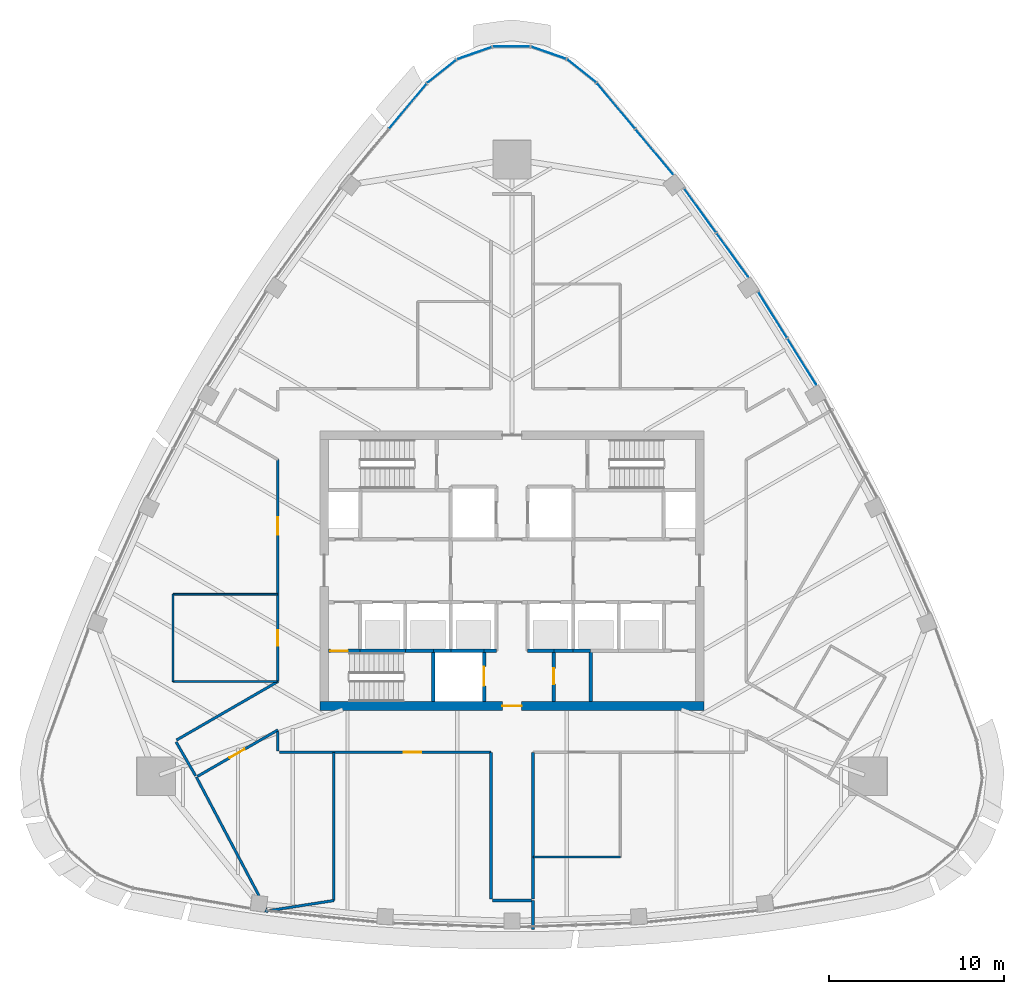
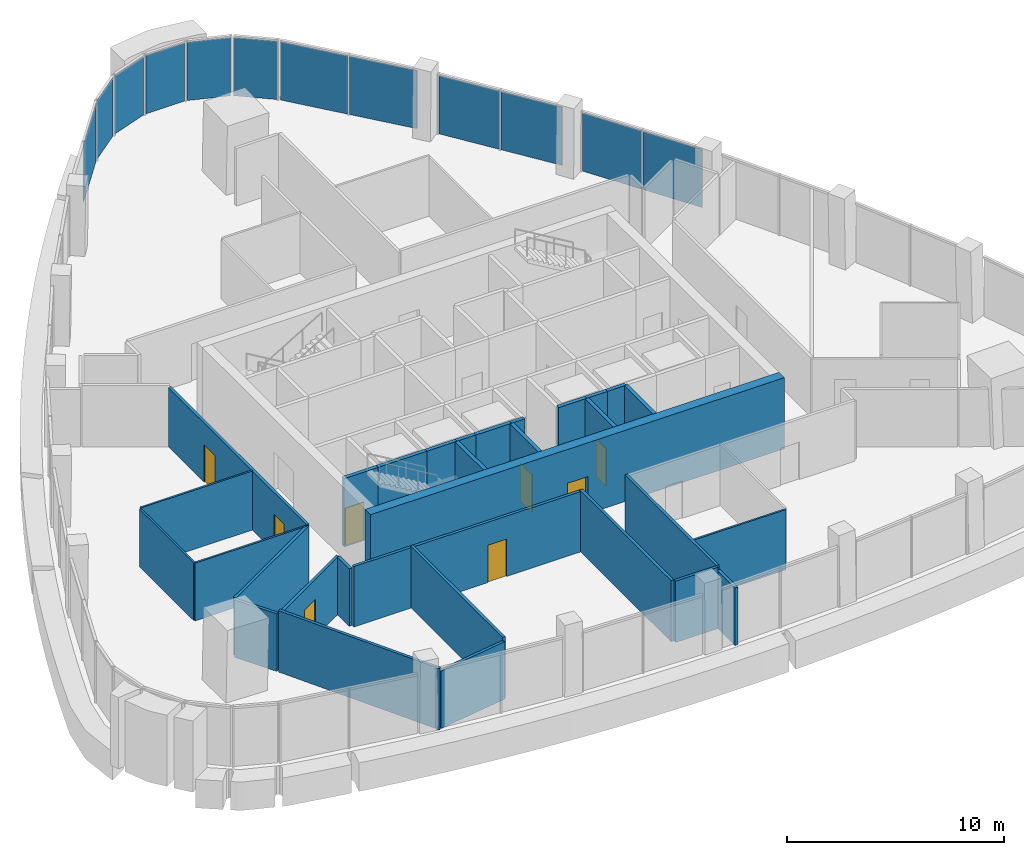
# One storey, part 8 of 15: 32 walls, 12 plates, 8 doors, 8 openings, 9 elements without a shape of their own.
"""IFC4 building model written with IfcOpenShell, lengths in metres."""

from ifc_helpers import new_model, si_unit, direction, frame, frame_2d, origin, origin_2d, place, context, subcontext, project, spatial, rectangle, extrude, material, layer, layer_set, type_object, element, fill, aggregate, save


model = new_model("IFC4")

# Units and contexts
model_context = context("Model", 3, precision=1e-05, world=origin(), true_north=direction((0.0, 1.0)))
body_context = subcontext(model_context, "Body", "Model", "MODEL_VIEW")
ifc_project = project(units=[si_unit("LENGTHUNIT", "METRE"), si_unit("AREAUNIT", "SQUARE_METRE"), si_unit("VOLUMEUNIT", "CUBIC_METRE"), si_unit("PLANEANGLEUNIT", "RADIAN"), si_unit("MASSUNIT", "GRAM", prefix="KILO")], contexts=[model_context])

# Site, building, storey
site_placement = place(None, origin())
site = spatial("IfcSite", under=ifc_project, at=site_placement, CompositionType="ELEMENT")
building_placement = place(site_placement, origin())
building = spatial("IfcBuilding", under=site, at=building_placement, Name="Sierra Prisma Convention Tower", CompositionType="ELEMENT")
storey_placement = place(building_placement, frame((0.0, 0.0, 299.0)))
storey = spatial("IfcBuildingStorey", under=building, at=storey_placement, Name="L68", CompositionType="ELEMENT", Elevation=299.0)

# Curtain wall, plates
ifc_material_1 = material(Name="Aluminium and glass curtain wall", Category="aluminium")
ifc_layer_1 = layer(ifc_material_1, 0.179931640625)
ifc_layer_set_1 = layer_set([ifc_layer_1], Name="CW-1 Plain shaft curtain wall")
curtain_wall_type = type_object("IfcCurtainWallType", Name="CW-1 Plain shaft curtain wall", PredefinedType="NOTDEFINED", material=ifc_layer_set_1)
curtain_wall_1_placement = place(storey_placement, origin())
curtain_wall_1 = element("IfcCurtainWall", 1, at=curtain_wall_1_placement, inside=storey, type_object=curtain_wall_type, Name="CW-1 NE4 L68", PredefinedType="NOTDEFINED")
ifc_material_2 = material(Name="Tinted glass bronze-grey IGU", Category="glass")
ifc_layer_2 = layer(ifc_material_2, 0.028076171875)
ifc_layer_set_2 = layer_set([ifc_layer_2], Name="CW-1 glass panel")
plate_type = type_object("IfcPlateType", Name="CW-1 glass panel", PredefinedType="CURTAIN_PANEL", material=ifc_layer_set_2)
plate_1_placement = place(storey_placement, frame((16.587646484375, 11.95849609375, 0.0), z_axis=(0.0, 0.0, 1.0), x_axis=(-0.529537172307, 0.848286734038, 0.0)))
plate_1 = element("IfcPlate", 2, at=plate_1_placement, type_object=plate_type, Name="CW-1 panel NE4.1", PredefinedType="CURTAIN_PANEL", context=body_context, shape_type="SweptSolid", body=[
    extrude(rectangle(XDim=3.08740234375, YDim=0.028076171875, at=origin_2d()), origin(), (0.0, 0.0, 1.0), 3.280029296875),
])
plate_2_placement = place(storey_placement, frame((14.915771484375, 14.636962890625, 0.0), z_axis=(0.0, 0.0, 1.0), x_axis=(-0.529537172307, 0.848286734038, 0.0)))
plate_2 = element("IfcPlate", 3, at=plate_2_placement, type_object=plate_type, Name="CW-1 panel NE4.2", PredefinedType="CURTAIN_PANEL", context=body_context, shape_type="SweptSolid", body=[
    extrude(rectangle(XDim=3.08740234375, YDim=0.028076171875, at=origin_2d()), origin(), (0.0, 0.0, 1.0), 3.280029296875),
])
aggregate(curtain_wall_1, [plate_1, plate_2])

curtain_wall_2_placement = place(storey_placement, origin())
curtain_wall_2 = element("IfcCurtainWall", 4, at=curtain_wall_2_placement, inside=storey, type_object=curtain_wall_type, Name="CW-1 NE5 L68", PredefinedType="NOTDEFINED")
plate_3_placement = place(storey_placement, frame((12.6103515625, 18.062744140625, 0.0), z_axis=(0.0, 0.0, 1.0), x_axis=(-0.586691350845, 0.809810631471, 0.0)))
plate_3 = element("IfcPlate", 5, at=plate_3_placement, type_object=plate_type, Name="CW-1 panel NE5.1", PredefinedType="CURTAIN_PANEL", context=body_context, shape_type="SweptSolid", body=[
    extrude(rectangle(XDim=3.072265625, YDim=0.028076171875, at=origin_2d()), origin(), (0.0, 0.0, 1.0), 3.280029296875),
])
plate_4_placement = place(storey_placement, frame((10.7666015625, 20.607421875, 0.0), z_axis=(0.0, 0.0, 1.0), x_axis=(-0.586691350845, 0.809810631471, 0.0)))
plate_4 = element("IfcPlate", 6, at=plate_4_placement, type_object=plate_type, Name="CW-1 panel NE5.2", PredefinedType="CURTAIN_PANEL", context=body_context, shape_type="SweptSolid", body=[
    extrude(rectangle(XDim=3.072265625, YDim=0.028076171875, at=origin_2d()), origin(), (0.0, 0.0, 1.0), 3.280029296875),
])
aggregate(curtain_wall_2, [plate_3, plate_4])

curtain_wall_3_placement = place(storey_placement, origin())
curtain_wall_3 = element("IfcCurtainWall", 7, at=curtain_wall_3_placement, inside=storey, type_object=curtain_wall_type, Name="CW-1 NE6 L68", PredefinedType="NOTDEFINED")
plate_5_placement = place(storey_placement, frame((8.138671875, 23.97900390625, 0.0), z_axis=(0.0, 0.0, 1.0), x_axis=(-0.641060499326, 0.767490349258, 0.0)))
plate_5 = element("IfcPlate", 8, at=plate_5_placement, type_object=plate_type, Name="CW-1 panel NE6.1", PredefinedType="CURTAIN_PANEL", context=body_context, shape_type="SweptSolid", body=[
    extrude(rectangle(XDim=3.318359375, YDim=0.028076171875, at=origin_2d()), origin(), (0.0, 0.0, 1.0), 3.280029296875),
])
plate_6_placement = place(storey_placement, frame((5.966552734375, 26.57958984375, 0.0), z_axis=(0.0, 0.0, 1.0), x_axis=(-0.641060499326, 0.767490349258, 0.0)))
plate_6 = element("IfcPlate", 9, at=plate_6_placement, type_object=plate_type, Name="CW-1 panel NE6.2", PredefinedType="CURTAIN_PANEL", context=body_context, shape_type="SweptSolid", body=[
    extrude(rectangle(XDim=3.318359375, YDim=0.028076171875, at=origin_2d()), origin(), (0.0, 0.0, 1.0), 3.280029296875),
])
aggregate(curtain_wall_3, [plate_5, plate_6])

# Curtain wall, plate
curtain_wall_4_placement = place(storey_placement, origin())
curtain_wall_4 = element("IfcCurtainWall", 10, at=curtain_wall_4_placement, inside=storey, type_object=curtain_wall_type, Name="CW-1 N1 L68", PredefinedType="NOTDEFINED")
plate_7_placement = place(storey_placement, frame((4.004638671875, 28.586181640625, 0.0), z_axis=(0.0, 0.0, 1.0), x_axis=(-0.782348482603, 0.622840952225, 0.0)))
plate_7 = element("IfcPlate", 11, at=plate_7_placement, type_object=plate_type, Name="CW-1 panel N1.1", PredefinedType="CURTAIN_PANEL", context=body_context, shape_type="SweptSolid", body=[
    extrude(rectangle(XDim=2.0419921875, YDim=0.028076171875, at=origin_2d()), origin(), (0.0, 0.0, 1.0), 3.280029296875),
])
aggregate(curtain_wall_4, [plate_7])

curtain_wall_5_placement = place(storey_placement, origin())
curtain_wall_5 = element("IfcCurtainWall", 12, at=curtain_wall_5_placement, inside=storey, type_object=curtain_wall_type, Name="CW-1 N2 L68", PredefinedType="NOTDEFINED")
plate_8_placement = place(storey_placement, frame((2.12109375, 29.625732421875, 0.0), z_axis=(0.0, 0.0, 1.0), x_axis=(-0.944020254709, 0.329887494001, 0.0)))
plate_8 = element("IfcPlate", 13, at=plate_8_placement, type_object=plate_type, Name="CW-1 panel N2.1", PredefinedType="CURTAIN_PANEL", context=body_context, shape_type="SweptSolid", body=[
    extrude(rectangle(XDim=2.0419921875, YDim=0.028076171875, at=origin_2d()), origin(), (0.0, 0.0, 1.0), 3.280029296875),
])
aggregate(curtain_wall_5, [plate_8])

curtain_wall_6_placement = place(storey_placement, origin())
curtain_wall_6 = element("IfcCurtainWall", 14, at=curtain_wall_6_placement, inside=storey, type_object=curtain_wall_type, Name="CW-1 N3 L68", PredefinedType="NOTDEFINED")
plate_9_placement = place(storey_placement, frame((0.0, 29.985595703125, 0.0), z_axis=(0.0, 0.0, 1.0), x_axis=(-1.0, 0.0, 0.0)))
plate_9 = element("IfcPlate", 15, at=plate_9_placement, type_object=plate_type, Name="CW-1 panel N3.1", PredefinedType="CURTAIN_PANEL", context=body_context, shape_type="SweptSolid", body=[
    extrude(rectangle(XDim=2.0419921875, YDim=0.028076171875, at=origin_2d()), origin(), (0.0, 0.0, 1.0), 3.280029296875),
])
aggregate(curtain_wall_6, [plate_9])

curtain_wall_7_placement = place(storey_placement, origin())
curtain_wall_7 = element("IfcCurtainWall", 16, at=curtain_wall_7_placement, inside=storey, type_object=curtain_wall_type, Name="CW-1 N4 L68", PredefinedType="NOTDEFINED")
plate_10_placement = place(storey_placement, frame((-2.12109375, 29.625732421875, 0.0), z_axis=(0.0, 0.0, 1.0), x_axis=(-0.944020254709, -0.329887494001, 0.0)))
plate_10 = element("IfcPlate", 17, at=plate_10_placement, type_object=plate_type, Name="CW-1 panel N4.1", PredefinedType="CURTAIN_PANEL", context=body_context, shape_type="SweptSolid", body=[
    extrude(rectangle(XDim=2.0419921875, YDim=0.028076171875, at=origin_2d()), origin(), (0.0, 0.0, 1.0), 3.280029296875),
])
aggregate(curtain_wall_7, [plate_10])

curtain_wall_8_placement = place(storey_placement, origin())
curtain_wall_8 = element("IfcCurtainWall", 18, at=curtain_wall_8_placement, inside=storey, type_object=curtain_wall_type, Name="CW-1 N5 L68", PredefinedType="NOTDEFINED")
plate_11_placement = place(storey_placement, frame((-4.004638671875, 28.586181640625, 0.0), z_axis=(0.0, 0.0, 1.0), x_axis=(-0.782348482603, -0.622840952225, 0.0)))
plate_11 = element("IfcPlate", 19, at=plate_11_placement, type_object=plate_type, Name="CW-1 panel N5.1", PredefinedType="CURTAIN_PANEL", context=body_context, shape_type="SweptSolid", body=[
    extrude(rectangle(XDim=2.0419921875, YDim=0.028076171875, at=origin_2d()), origin(), (0.0, 0.0, 1.0), 3.280029296875),
])
aggregate(curtain_wall_8, [plate_11])

curtain_wall_9_placement = place(storey_placement, origin())
curtain_wall_9 = element("IfcCurtainWall", 20, at=curtain_wall_9_placement, inside=storey, type_object=curtain_wall_type, Name="CW-1 NW1 L68", PredefinedType="NOTDEFINED")
plate_12_placement = place(storey_placement, frame((-5.966552734375, 26.57958984375, 0.0), z_axis=(0.0, 0.0, 1.0), x_axis=(-0.641060499326, -0.767490349258, 0.0)))
plate_12 = element("IfcPlate", 21, at=plate_12_placement, type_object=plate_type, Name="CW-1 panel NW1.1", PredefinedType="CURTAIN_PANEL", context=body_context, shape_type="SweptSolid", body=[
    extrude(rectangle(XDim=3.318359375, YDim=0.028076171875, at=origin_2d()), origin(), (0.0, 0.0, 1.0), 3.280029296875),
])
aggregate(curtain_wall_9, [plate_12])

# Walls
ifc_material_3 = material(Name="Gypsum board partition", Category="gypsum")
ifc_layer_3 = layer(ifc_material_3, 0.10009765625)
ifc_layer_set_3 = layer_set([ifc_layer_3], Name="Bathroom partition 100")
wall_type_1 = type_object("IfcWallType", Name="Bathroom partition 100", PredefinedType="PARTITIONING", material=ifc_layer_set_3)
wall_1_placement = place(storey_placement, frame((-13.4599609375, -6.350830078125, 0.0), z_axis=(0.0, 0.0, 1.0), x_axis=(-1.0, 0.0, 0.0)))
element("IfcWall", 22, at=wall_1_placement, inside=storey, type_object=wall_type_1, Name="Partition L68 bath 1", PredefinedType="PARTITIONING", context=body_context, shape_type="SweptSolid", body=[
    extrude(rectangle(XDim=5.93994140625, YDim=0.10009765625, at=frame_2d((2.969970703125, 0.0))), origin(), (0.0, 0.0, 1.0), 3.2470703125),
])
wall_2_placement = place(storey_placement, frame((-19.39990234375, -6.350830078125, 0.0), z_axis=(0.0, 0.0, 1.0), x_axis=(0.0, 1.0, 0.0)))
element("IfcWall", 23, at=wall_2_placement, inside=storey, type_object=wall_type_1, Name="Partition L68 bath 2", PredefinedType="PARTITIONING", context=body_context, shape_type="SweptSolid", body=[
    extrude(rectangle(XDim=5.0, YDim=0.10009765625, at=frame_2d((2.5, 0.0))), origin(), (0.0, 0.0, 1.0), 3.2470703125),
])
wall_3_placement = place(storey_placement, frame((-19.39990234375, -1.350830078125, 0.0), z_axis=(0.0, 0.0, 1.0), x_axis=(1.0, 0.0, 0.0)))
element("IfcWall", 24, at=wall_3_placement, inside=storey, type_object=wall_type_1, Name="Partition L68 bath 3", PredefinedType="PARTITIONING", context=body_context, shape_type="SweptSolid", body=[
    extrude(rectangle(XDim=5.969970703125, YDim=0.10009765625, at=frame_2d((2.98486328125, 0.0))), origin(), (0.0, 0.0, 1.0), 3.31689453125),
])
wall_4_placement = place(storey_placement, frame((6.199951171875, -16.39990234375, 0.0), z_axis=(0.0, 0.0, 1.0), x_axis=(-1.0, 0.0, 0.0)))
element("IfcWall", 25, at=wall_4_placement, inside=storey, type_object=wall_type_1, Name="Partition L68 bath 7", PredefinedType="PARTITIONING", context=body_context, shape_type="SweptSolid", body=[
    extrude(rectangle(XDim=4.969970703125, YDim=0.10009765625, at=frame_2d((2.48486328125, 0.0))), origin(), (0.0, 0.0, 1.0), 3.39306640625),
])

# Wall, opening, door
ifc_material_4 = material(Name="Concrete C30/37", Category="concrete")
ifc_layer_4 = layer(ifc_material_4, 0.199951171875)
ifc_layer_set_4 = layer_set([ifc_layer_4], Name="Core wall RC 200 C30/37")
wall_type_2 = type_object("IfcWallType", Name="Core wall RC 200 C30/37", PredefinedType="SOLIDWALL", material=ifc_layer_set_4)
wall_5_placement = place(storey_placement, frame((-10.5, -4.60009765625, 0.0), z_axis=(0.0, 0.0, 1.0), x_axis=(1.0, 0.0, 0.0)))
wall_5 = element("IfcWall", 26, at=wall_5_placement, inside=storey, type_object=wall_type_2, Name="Core wall L68 1", PredefinedType="SOLIDWALL", context=body_context, shape_type="SweptSolid", body=[
    extrude(rectangle(XDim=1.800048828125, YDim=0.199951171875, at=frame_2d((0.89990234375, 0.0))), origin(), (0.0, 0.0, 1.0), 3.85009765625),
])
opening_1_placement = place(wall_5_placement, frame((0.10009765625, 0.0, 0.0)))
opening_1 = element("IfcOpeningElement", 27, at=opening_1_placement, cuts=wall_5, Name="Opening L68-D017", PredefinedType="OPENING", context=body_context, shape_type="SweptSolid", body=[
    extrude(rectangle(XDim=1.0, YDim=2.10009765625, at=frame_2d((0.5, 1.050048828125))), frame((0.0, 0.10009765625, 0.0), z_axis=(0.0, -1.0, 0.0), x_axis=(1.0, 0.0, 0.0)), (0.0, 0.0, 1.0), 0.199951171875),
])
ifc_material_5 = material(Name="Steel fire door leaf", Category="steel")
door_type_1 = type_object("IfcDoorType", Name="Door 1000x2100 FD90S", OperationType="SINGLE_SWING_LEFT", PredefinedType="DOOR", material=ifc_material_5)
door_1_placement = place(opening_1_placement, origin())
door_1 = element("IfcDoor", 28, at=door_1_placement, inside=storey, type_object=door_type_1, Name="Door L68 30", OperationType="SINGLE_SWING_LEFT", OverallHeight=2.10009765625, OverallWidth=1.0, PredefinedType="DOOR", context=body_context, shape_type="SweptSolid", body=[
    extrude(rectangle(XDim=1.0, YDim=2.10009765625, at=frame_2d((0.5, 1.050048828125))), frame((0.0, 0.02490234375, 0.0), z_axis=(0.0, -1.0, 0.0), x_axis=(1.0, 0.0, 0.0)), (0.0, 0.0, 1.0), 0.050048828125),
])
fill(opening_1, door_1)

# Walls
wall_6_placement = place(storey_placement, frame((-8.699951171875, -4.60009765625, 0.0), z_axis=(0.0, 0.0, 1.0), x_axis=(1.0, 0.0, 0.0)))
element("IfcWall", 29, at=wall_6_placement, inside=storey, type_object=wall_type_2, Name="Core wall L68 5", PredefinedType="SOLIDWALL", context=body_context, shape_type="SweptSolid", body=[
    extrude(rectangle(XDim=2.599853515625, YDim=0.199951171875, at=frame_2d((1.2998046875, 0.0))), origin(), (0.0, 0.0, 1.0), 3.85009765625),
])
wall_7_placement = place(storey_placement, frame((-6.10009765625, -4.60009765625, 0.0), z_axis=(0.0, 0.0, 1.0), x_axis=(1.0, 0.0, 0.0)))
element("IfcWall", 30, at=wall_7_placement, inside=storey, type_object=wall_type_2, Name="Core wall L68 11", PredefinedType="SOLIDWALL", context=body_context, shape_type="SweptSolid", body=[
    extrude(rectangle(XDim=1.60009765625, YDim=0.199951171875, at=frame_2d((0.800048828125, 0.0))), origin(), (0.0, 0.0, 1.0), 3.85009765625),
])
wall_8_placement = place(storey_placement, frame((-4.5, -4.60009765625, 0.0), z_axis=(0.0, 0.0, 1.0), x_axis=(0.0, -1.0, 0.0)))
element("IfcWall", 31, at=wall_8_placement, inside=storey, type_object=wall_type_2, Name="Core wall L68 14", PredefinedType="SOLIDWALL", context=body_context, shape_type="SweptSolid", body=[
    extrude(rectangle(XDim=2.89990234375, YDim=0.199951171875, at=frame_2d((1.449951171875, 0.0))), origin(), (0.0, 0.0, 1.0), 3.85009765625),
])
wall_9_placement = place(storey_placement, frame((-4.5, -4.60009765625, 0.0), z_axis=(0.0, 0.0, 1.0), x_axis=(1.0, 0.0, 0.0)))
element("IfcWall", 32, at=wall_9_placement, inside=storey, type_object=wall_type_2, Name="Core wall L68 15", PredefinedType="SOLIDWALL", context=body_context, shape_type="SweptSolid", body=[
    extrude(rectangle(XDim=1.0, YDim=0.199951171875, at=frame_2d((0.5, 0.0))), origin(), (0.0, 0.0, 1.0), 3.85009765625),
])
wall_10_placement = place(storey_placement, frame((-3.5, -4.60009765625, 0.0), z_axis=(0.0, 0.0, 1.0), x_axis=(1.0, 0.0, 0.0)))
element("IfcWall", 33, at=wall_10_placement, inside=storey, type_object=wall_type_2, Name="Core wall L68 18", PredefinedType="SOLIDWALL", context=body_context, shape_type="SweptSolid", body=[
    extrude(rectangle(XDim=1.89990234375, YDim=0.199951171875, at=frame_2d((0.949951171875, 0.0))), origin(), (0.0, 0.0, 1.0), 3.85009765625),
])

# Wall, opening, door
wall_11_placement = place(storey_placement, frame((-1.60009765625, -7.5, 0.0), z_axis=(0.0, 0.0, 1.0), x_axis=(0.0, 1.0, 0.0)))
wall_11 = element("IfcWall", 34, at=wall_11_placement, inside=storey, type_object=wall_type_2, Name="Core wall L68 27", PredefinedType="SOLIDWALL", context=body_context, shape_type="SweptSolid", body=[
    extrude(rectangle(XDim=2.89990234375, YDim=0.199951171875, at=frame_2d((1.449951171875, 0.0))), origin(), (0.0, 0.0, 1.0), 3.85009765625),
])
opening_2_placement = place(wall_11_placement, frame((0.89990234375, 0.0, 0.0)))
opening_2 = element("IfcOpeningElement", 35, at=opening_2_placement, cuts=wall_11, Name="Opening L68-D009", PredefinedType="OPENING", context=body_context, shape_type="SweptSolid", body=[
    extrude(rectangle(XDim=1.10009765625, YDim=2.10009765625, at=frame_2d((0.550048828125, 1.050048828125))), frame((0.0, 0.10009765625, 0.0), z_axis=(0.0, -1.0, 0.0), x_axis=(1.0, 0.0, 0.0)), (0.0, 0.0, 1.0), 0.199951171875),
])
ifc_material_6 = material(Name="Steel fire door leaf", Category="steel")
door_type_2 = type_object("IfcDoorType", Name="Door 1100x2100 EI 90 sliding lift landing", OperationType="SLIDING_TO_LEFT", PredefinedType="DOOR", material=ifc_material_6)
door_2_placement = place(opening_2_placement, origin())
door_2 = element("IfcDoor", 36, at=door_2_placement, inside=storey, type_object=door_type_2, Name="Door L68 22", OperationType="SLIDING_TO_LEFT", OverallHeight=2.10009765625, OverallWidth=1.10009765625, PredefinedType="DOOR", context=body_context, shape_type="SweptSolid", body=[
    extrude(rectangle(XDim=1.10009765625, YDim=2.10009765625, at=frame_2d((0.550048828125, 1.050048828125))), frame((0.0, 0.02490234375, 0.0), z_axis=(0.0, -1.0, 0.0), x_axis=(1.0, 0.0, 0.0)), (0.0, 0.0, 1.0), 0.050048828125),
])
fill(opening_2, door_2)

# Walls
wall_12_placement = place(storey_placement, frame((-1.60009765625, -4.60009765625, 0.0), z_axis=(0.0, 0.0, 1.0), x_axis=(1.0, 0.0, 0.0)))
element("IfcWall", 37, at=wall_12_placement, inside=storey, type_object=wall_type_2, Name="Core wall L68 28", PredefinedType="SOLIDWALL", context=body_context, shape_type="SweptSolid", body=[
    extrude(rectangle(XDim=0.7001953125, YDim=0.199951171875, at=frame_2d((0.35009765625, 0.0))), origin(), (0.0, 0.0, 1.0), 3.85009765625),
])
wall_13_placement = place(storey_placement, frame((0.89990234375, -4.60009765625, 0.0), z_axis=(0.0, 0.0, 1.0), x_axis=(1.0, 0.0, 0.0)))
element("IfcWall", 38, at=wall_13_placement, inside=storey, type_object=wall_type_2, Name="Core wall L68 34", PredefinedType="SOLIDWALL", context=body_context, shape_type="SweptSolid", body=[
    extrude(rectangle(XDim=1.5, YDim=0.199951171875, at=frame_2d((0.75, 0.0))), origin(), (0.0, 0.0, 1.0), 3.85009765625),
])

# Wall, opening, door
wall_14_placement = place(storey_placement, frame((2.39990234375, -4.60009765625, 0.0), z_axis=(0.0, 0.0, 1.0), x_axis=(0.0, -1.0, 0.0)))
wall_14 = element("IfcWall", 39, at=wall_14_placement, inside=storey, type_object=wall_type_2, Name="Core wall L68 39", PredefinedType="SOLIDWALL", context=body_context, shape_type="SweptSolid", body=[
    extrude(rectangle(XDim=2.89990234375, YDim=0.199951171875, at=frame_2d((1.449951171875, 0.0))), origin(), (0.0, 0.0, 1.0), 3.85009765625),
])
opening_3_placement = place(wall_14_placement, frame((1.0, 0.0, 0.0)))
opening_3 = element("IfcOpeningElement", 40, at=opening_3_placement, cuts=wall_14, Name="Opening L68-D024", PredefinedType="OPENING", context=body_context, shape_type="SweptSolid", body=[
    extrude(rectangle(XDim=0.89990234375, YDim=2.10009765625, at=frame_2d((0.449951171875, 1.050048828125))), frame((0.0, 0.10009765625, 0.0), z_axis=(0.0, -1.0, 0.0), x_axis=(1.0, 0.0, 0.0)), (0.0, 0.0, 1.0), 0.199951171875),
])
ifc_material_7 = material(Name="Steel fire door leaf", Category="steel")
door_type_3 = type_object("IfcDoorType", Name="Door 900x2100 FD30S", OperationType="SINGLE_SWING_LEFT", PredefinedType="DOOR", material=ifc_material_7)
door_3_placement = place(opening_3_placement, origin())
door_3 = element("IfcDoor", 41, at=door_3_placement, inside=storey, type_object=door_type_3, Name="Door L68 37", OperationType="SINGLE_SWING_RIGHT", OverallHeight=2.10009765625, OverallWidth=0.89990234375, PredefinedType="DOOR", context=body_context, shape_type="SweptSolid", body=[
    extrude(rectangle(XDim=0.89990234375, YDim=2.10009765625, at=frame_2d((0.449951171875, 1.050048828125))), frame((0.0, 0.02490234375, 0.0), z_axis=(0.0, -1.0, 0.0), x_axis=(1.0, 0.0, 0.0)), (0.0, 0.0, 1.0), 0.050048828125),
])
fill(opening_3, door_3)

# Walls
wall_15_placement = place(storey_placement, frame((3.5, -4.60009765625, 0.0), z_axis=(0.0, 0.0, 1.0), x_axis=(-1.0, 0.0, 0.0)))
element("IfcWall", 42, at=wall_15_placement, inside=storey, type_object=wall_type_2, Name="Core wall L68 40", PredefinedType="SOLIDWALL", context=body_context, shape_type="SweptSolid", body=[
    extrude(rectangle(XDim=1.10009765625, YDim=0.199951171875, at=frame_2d((0.550048828125, 0.0))), origin(), (0.0, 0.0, 1.0), 3.85009765625),
])
wall_16_placement = place(storey_placement, frame((4.5, -4.60009765625, 0.0), z_axis=(0.0, 0.0, 1.0), x_axis=(-1.0, 0.0, 0.0)))
element("IfcWall", 43, at=wall_16_placement, inside=storey, type_object=wall_type_2, Name="Core wall L68 41", PredefinedType="SOLIDWALL", context=body_context, shape_type="SweptSolid", body=[
    extrude(rectangle(XDim=1.0, YDim=0.199951171875, at=frame_2d((0.5, 0.0))), origin(), (0.0, 0.0, 1.0), 3.85009765625),
])
wall_17_placement = place(storey_placement, frame((4.5, -4.60009765625, 0.0), z_axis=(0.0, 0.0, 1.0), x_axis=(0.0, -1.0, 0.0)))
element("IfcWall", 44, at=wall_17_placement, inside=storey, type_object=wall_type_2, Name="Core wall L68 50", PredefinedType="SOLIDWALL", context=body_context, shape_type="SweptSolid", body=[
    extrude(rectangle(XDim=2.89990234375, YDim=0.199951171875, at=frame_2d((1.449951171875, 0.0))), origin(), (0.0, 0.0, 1.0), 3.85009765625),
])

# Wall, opening, door
ifc_material_8 = material(Name="Concrete C50/60", Category="concrete")
ifc_layer_5 = layer(ifc_material_8, 0.5)
ifc_layer_set_5 = layer_set([ifc_layer_5], Name="Core wall RC 500 C50/60")
wall_type_3 = type_object("IfcWallType", Name="Core wall RC 500 C50/60", PredefinedType="SHEAR", material=ifc_layer_set_5)
wall_18_placement = place(storey_placement, frame((-11.0, -7.75, 0.0), z_axis=(0.0, 0.0, 1.0), x_axis=(1.0, 0.0, 0.0)))
wall_18 = element("IfcWall", 45, at=wall_18_placement, inside=storey, type_object=wall_type_3, Name="Core wall S L68", PredefinedType="SHEAR", context=body_context, shape_type="SweptSolid", body=[
    extrude(rectangle(XDim=22.0, YDim=0.5, at=frame_2d((11.0, 0.0))), origin(), (0.0, 0.0, 1.0), 4.0),
])
opening_4_placement = place(wall_18_placement, frame((10.449951171875, 0.0, 0.0)))
opening_4 = element("IfcOpeningElement", 46, at=opening_4_placement, cuts=wall_18, Name="Opening L68-D040", PredefinedType="OPENING", context=body_context, shape_type="SweptSolid", body=[
    extrude(rectangle(XDim=1.10009765625, YDim=2.10009765625, at=frame_2d((0.550048828125, 1.050048828125))), frame((0.0, 0.25, 0.0), z_axis=(0.0, -1.0, 0.0), x_axis=(1.0, 0.0, 0.0)), (0.0, 0.0, 1.0), 0.5),
])
ifc_material_9 = material(Name="Steel fire door leaf", Category="steel")
door_type_4 = type_object("IfcDoorType", Name="Door 1100x2100 FD30S", OperationType="SINGLE_SWING_LEFT", PredefinedType="DOOR", material=ifc_material_9)
door_4_placement = place(opening_4_placement, origin())
door_4 = element("IfcDoor", 47, at=door_4_placement, inside=storey, type_object=door_type_4, Name="Door L68 41", OperationType="SINGLE_SWING_LEFT", OverallHeight=2.10009765625, OverallWidth=1.10009765625, PredefinedType="DOOR", context=body_context, shape_type="SweptSolid", body=[
    extrude(rectangle(XDim=1.10009765625, YDim=2.10009765625, at=frame_2d((0.550048828125, 1.050048828125))), frame((0.0, 0.02490234375, 0.0), z_axis=(0.0, -1.0, 0.0), x_axis=(1.0, 0.0, 0.0)), (0.0, 0.0, 1.0), 0.050048828125),
])
fill(opening_4, door_4)

# Wall
ifc_material_10 = material(Name="Gypsum board partition", Category="gypsum")
ifc_layer_6 = layer(ifc_material_10, 0.14990234375)
ifc_layer_set_6 = layer_set([ifc_layer_6], Name="Corridor wall 150 gypsum EI 60")
wall_type_4 = type_object("IfcWallType", Name="Corridor wall 150 gypsum EI 60", PredefinedType="PARTITIONING", material=ifc_layer_set_6)
wall_19_placement = place(storey_placement, frame((-19.22802734375, -9.80810546875, 0.0), z_axis=(0.0, 0.0, 1.0), x_axis=(0.49994888933, -0.866054910533, 0.0)))
element("IfcWall", 48, at=wall_19_placement, inside=storey, type_object=wall_type_4, Name="Partition L68 corr 1", PredefinedType="PARTITIONING", context=body_context, shape_type="SweptSolid", body=[
    extrude(rectangle(XDim=2.239990234375, YDim=0.14990234375, at=frame_2d((1.1201171875, 0.0))), origin(), (0.0, 0.0, 1.0), 3.23291015625),
])

# Wall, openings, doors
wall_20_placement = place(storey_placement, frame((-13.39990234375, 6.350830078125, 0.0), z_axis=(0.0, 0.0, 1.0), x_axis=(0.0, -1.0, 0.0)))
wall_20 = element("IfcWall", 49, at=wall_20_placement, inside=storey, type_object=wall_type_4, Name="Partition L68 corr 3", PredefinedType="PARTITIONING", context=body_context, shape_type="SweptSolid", body=[
    extrude(rectangle(XDim=12.70166015625, YDim=0.14990234375, at=frame_2d((6.350830078125, 0.0))), origin(), (0.0, 0.0, 1.0), 3.31689453125),
])
opening_5_placement = place(wall_20_placement, frame((9.751708984375, 0.0, 0.0)))
opening_5 = element("IfcOpeningElement", 50, at=opening_5_placement, cuts=wall_20, Name="Opening L68-D030", PredefinedType="OPENING", context=body_context, shape_type="SweptSolid", body=[
    extrude(rectangle(XDim=0.89990234375, YDim=2.10009765625, at=frame_2d((0.449951171875, 1.050048828125))), frame((0.0, 0.074951171875, 0.0), z_axis=(0.0, -1.0, 0.0), x_axis=(1.0, 0.0, 0.0)), (0.0, 0.0, 1.0), 0.14990234375),
])
opening_6_placement = place(wall_20_placement, frame((3.30078125, 0.0, 0.0)))
opening_6 = element("IfcOpeningElement", 51, at=opening_6_placement, cuts=wall_20, Name="Opening L68-D031", PredefinedType="OPENING", context=body_context, shape_type="SweptSolid", body=[
    extrude(rectangle(XDim=1.0, YDim=2.10009765625, at=frame_2d((0.5, 1.050048828125))), frame((0.0, 0.074951171875, 0.0), z_axis=(0.0, -1.0, 0.0), x_axis=(1.0, 0.0, 0.0)), (0.0, 0.0, 1.0), 0.14990234375),
])
ifc_material_11 = material(Name="Steel fire door leaf", Category="steel")
door_type_5 = type_object("IfcDoorType", Name="Door 1000x2100 FD30S", OperationType="SINGLE_SWING_LEFT", PredefinedType="DOOR", material=ifc_material_11)
door_5_placement = place(opening_6_placement, origin())
door_5 = element("IfcDoor", 52, at=door_5_placement, inside=storey, type_object=door_type_5, Name="Door L68 7", OperationType="SINGLE_SWING_LEFT", OverallHeight=2.10009765625, OverallWidth=1.0, PredefinedType="DOOR", context=body_context, shape_type="SweptSolid", body=[
    extrude(rectangle(XDim=1.0, YDim=2.10009765625, at=frame_2d((0.5, 1.050048828125))), frame((0.0, 0.02490234375, 0.0), z_axis=(0.0, -1.0, 0.0), x_axis=(1.0, 0.0, 0.0)), (0.0, 0.0, 1.0), 0.050048828125),
])
fill(opening_6, door_5)
door_6_placement = place(opening_5_placement, origin())
door_6 = element("IfcDoor", 53, at=door_6_placement, inside=storey, type_object=door_type_3, Name="Door L68 6", OperationType="SINGLE_SWING_LEFT", OverallHeight=2.10009765625, OverallWidth=0.89990234375, PredefinedType="DOOR", context=body_context, shape_type="SweptSolid", body=[
    extrude(rectangle(XDim=0.89990234375, YDim=2.10009765625, at=frame_2d((0.449951171875, 1.050048828125))), frame((0.0, 0.02490234375, 0.0), z_axis=(0.0, -1.0, 0.0), x_axis=(1.0, 0.0, 0.0)), (0.0, 0.0, 1.0), 0.050048828125),
])
fill(opening_5, door_6)

# Wall
wall_21_placement = place(storey_placement, frame((-13.39990234375, -6.350830078125, 0.0), z_axis=(0.0, 0.0, 1.0), x_axis=(-0.866028933908, -0.499993885596, 0.0)))
element("IfcWall", 54, at=wall_21_placement, inside=storey, type_object=wall_type_4, Name="Partition L68 corr 4", PredefinedType="PARTITIONING", context=body_context, shape_type="SweptSolid", body=[
    extrude(rectangle(XDim=6.69580078125, YDim=0.14990234375, at=frame_2d((3.347900390625, 0.0))), origin(), (0.0, 0.0, 1.0), 3.2470703125),
])

# Wall, opening, door
wall_22_placement = place(storey_placement, frame((-17.998779296875, -11.777099609375, 0.0), z_axis=(0.0, 0.0, 1.0), x_axis=(0.866036293601, 0.499981137809, 0.0)))
wall_22 = element("IfcWall", 55, at=wall_22_placement, inside=storey, type_object=wall_type_4, Name="Partition L68 corr 5", PredefinedType="PARTITIONING", context=body_context, shape_type="SweptSolid", body=[
    extrude(rectangle(XDim=5.310302734375, YDim=0.14990234375, at=frame_2d((2.6552734375, 0.0))), origin(), (0.0, 0.0, 1.0), 3.23291015625),
])
opening_7_placement = place(wall_22_placement, frame((2.114990234375, 0.0, 0.0)))
opening_7 = element("IfcOpeningElement", 56, at=opening_7_placement, cuts=wall_22, Name="Opening L68-D032", PredefinedType="OPENING", context=body_context, shape_type="SweptSolid", body=[
    extrude(rectangle(XDim=1.0, YDim=2.10009765625, at=frame_2d((0.5, 1.050048828125))), frame((0.0, 0.074951171875, 0.0), z_axis=(0.0, -1.0, 0.0), x_axis=(1.0, 0.0, 0.0)), (0.0, 0.0, 1.0), 0.14990234375),
])
door_7_placement = place(opening_7_placement, origin())
door_7 = element("IfcDoor", 57, at=door_7_placement, inside=storey, type_object=door_type_5, Name="Door L68 8", OperationType="SINGLE_SWING_RIGHT", OverallHeight=2.10009765625, OverallWidth=1.0, PredefinedType="DOOR", context=body_context, shape_type="SweptSolid", body=[
    extrude(rectangle(XDim=1.0, YDim=2.10009765625, at=frame_2d((0.5, 1.050048828125))), frame((0.0, 0.02490234375, 0.0), z_axis=(0.0, -1.0, 0.0), x_axis=(1.0, 0.0, 0.0)), (0.0, 0.0, 1.0), 0.050048828125),
])
fill(opening_7, door_7)

# Wall
wall_23_placement = place(storey_placement, frame((-13.39990234375, -9.213623046875, 0.0), z_axis=(0.0, 0.0, 1.0), x_axis=(0.0, -1.0, 0.0)))
element("IfcWall", 58, at=wall_23_placement, inside=storey, type_object=wall_type_4, Name="Partition L68 corr 6", PredefinedType="PARTITIONING", context=body_context, shape_type="SweptSolid", body=[
    extrude(rectangle(XDim=1.1064453125, YDim=0.14990234375, at=frame_2d((0.55322265625, 0.0))), origin(), (0.0, 0.0, 1.0), 3.23291015625),
])

# Wall, opening, door
wall_24_placement = place(storey_placement, frame((-13.320068359375, -10.39990234375, 0.0), z_axis=(0.0, 0.0, 1.0), x_axis=(1.0, 0.0, 0.0)))
wall_24 = element("IfcWall", 59, at=wall_24_placement, inside=storey, type_object=wall_type_4, Name="Partition L68 corr 10", PredefinedType="PARTITIONING", context=body_context, shape_type="SweptSolid", body=[
    extrude(rectangle(XDim=12.1201171875, YDim=0.14990234375, at=frame_2d((6.06005859375, 0.0))), origin(), (0.0, 0.0, 1.0), 3.39306640625),
])
opening_8_placement = place(wall_24_placement, frame((7.1201171875, 0.0, 0.0)))
opening_8 = element("IfcOpeningElement", 60, at=opening_8_placement, cuts=wall_24, Name="Opening L68-D033", PredefinedType="OPENING", context=body_context, shape_type="SweptSolid", body=[
    extrude(rectangle(XDim=1.0, YDim=2.10009765625, at=frame_2d((0.5, 1.050048828125))), frame((0.0, 0.074951171875, 0.0), z_axis=(0.0, -1.0, 0.0), x_axis=(1.0, 0.0, 0.0)), (0.0, 0.0, 1.0), 0.14990234375),
])
door_8_placement = place(opening_8_placement, origin())
door_8 = element("IfcDoor", 61, at=door_8_placement, inside=storey, type_object=door_type_5, Name="Door L68 9", OperationType="SINGLE_SWING_LEFT", OverallHeight=2.10009765625, OverallWidth=1.0, PredefinedType="DOOR", context=body_context, shape_type="SweptSolid", body=[
    extrude(rectangle(XDim=1.0, YDim=2.10009765625, at=frame_2d((0.5, 1.050048828125))), frame((0.0, 0.02490234375, 0.0), z_axis=(0.0, -1.0, 0.0), x_axis=(1.0, 0.0, 0.0)), (0.0, 0.0, 1.0), 0.050048828125),
])
fill(opening_8, door_8)

# Walls
wall_25_placement = place(storey_placement, frame((-1.199951171875, -10.39990234375, 0.0), z_axis=(0.0, 0.0, 1.0), x_axis=(0.0, -1.0, 0.0)))
element("IfcWall", 62, at=wall_25_placement, inside=storey, type_object=wall_type_4, Name="Partition L68 corr 11", PredefinedType="PARTITIONING", context=body_context, shape_type="SweptSolid", body=[
    extrude(rectangle(XDim=8.40576171875, YDim=0.14990234375, at=frame_2d((4.202880859375, 0.0))), origin(), (0.0, 0.0, 1.0), 3.449951171875),
])
wall_26_placement = place(storey_placement, frame((-1.1201171875, -18.8857421875, 0.0), z_axis=(0.0, 0.0, 1.0), x_axis=(1.0, 0.0, 0.0)))
element("IfcWall", 63, at=wall_26_placement, inside=storey, type_object=wall_type_4, Name="Partition L68 corr 14", PredefinedType="PARTITIONING", context=body_context, shape_type="SweptSolid", body=[
    extrude(rectangle(XDim=2.240234375, YDim=0.14990234375, at=frame_2d((1.1201171875, 0.0))), origin(), (0.0, 0.0, 1.0), 3.449951171875),
])
wall_27_placement = place(storey_placement, frame((1.199951171875, -18.8056640625, 0.0), z_axis=(0.0, 0.0, 1.0), x_axis=(0.0, 1.0, 0.0)))
element("IfcWall", 64, at=wall_27_placement, inside=storey, type_object=wall_type_4, Name="Partition L68 corr 16", PredefinedType="PARTITIONING", context=body_context, shape_type="SweptSolid", body=[
    extrude(rectangle(XDim=8.40576171875, YDim=0.14990234375, at=frame_2d((4.202880859375, 0.0))), origin(), (0.0, 0.0, 1.0), 3.449951171875),
])
ifc_material_12 = material(Name="Gypsum board partition", Category="gypsum")
ifc_layer_7 = layer(ifc_material_12, 0.14990234375)
ifc_layer_set_7 = layer_set([ifc_layer_7], Name="Party wall 150 gypsum")
wall_type_5 = type_object("IfcWallType", Name="Party wall 150 gypsum", PredefinedType="PARTITIONING", material=ifc_layer_set_7)
wall_28_placement = place(storey_placement, frame((-18.068115234375, -11.817138671875, 0.0), z_axis=(0.0, 0.0, 1.0), x_axis=(0.467006069064, -0.88425411023, 0.0)))
element("IfcWall", 65, at=wall_28_placement, inside=storey, type_object=wall_type_5, Name="Partition L68 party 2", PredefinedType="PARTITIONING", context=body_context, shape_type="SweptSolid", body=[
    extrude(rectangle(XDim=8.55224609375, YDim=0.14990234375, at=frame_2d((4.276123046875, 0.0))), origin(), (0.0, 0.0, 1.0), 3.449951171875),
])
wall_29_placement = place(storey_placement, frame((-10.199951171875, -10.39990234375, 0.0), z_axis=(0.0, 0.0, 1.0), x_axis=(0.0, -1.0, 0.0)))
element("IfcWall", 66, at=wall_29_placement, inside=storey, type_object=wall_type_5, Name="Partition L68 party 3", PredefinedType="PARTITIONING", context=body_context, shape_type="SweptSolid", body=[
    extrude(rectangle(XDim=8.48583984375, YDim=0.14990234375, at=frame_2d((4.242919921875, 0.0))), origin(), (0.0, 0.0, 1.0), 3.449951171875),
])
wall_30_placement = place(storey_placement, frame((-10.199951171875, -18.8857421875, 0.0), z_axis=(0.0, 0.0, 1.0), x_axis=(-0.988077086967, -0.15395996301, 0.0)))
element("IfcWall", 67, at=wall_30_placement, inside=storey, type_object=wall_type_5, Name="Partition L68 party 4", PredefinedType="PARTITIONING", context=body_context, shape_type="SweptSolid", body=[
    extrude(rectangle(XDim=3.769287109375, YDim=0.14990234375, at=frame_2d((1.884765625, 0.0))), origin(), (0.0, 0.0, 1.0), 3.23388671875),
])
wall_31_placement = place(storey_placement, frame((-13.97412109375, -19.552490234375, 0.0), z_axis=(0.0, 0.0, 1.0), x_axis=(-0.791052984113, 0.611747641047, 0.0)))
element("IfcWall", 68, at=wall_31_placement, inside=storey, type_object=wall_type_5, Name="Partition L68 party 5", PredefinedType="PARTITIONING", context=body_context, shape_type="SweptSolid", body=[
    extrude(rectangle(XDim=0.18505859375, YDim=0.14990234375, at=frame_2d((0.092529296875, 0.0))), origin(), (0.0, 0.0, 1.0), 3.449951171875),
])
wall_32_placement = place(storey_placement, frame((1.199951171875, -18.8857421875, 0.0), z_axis=(0.0, 0.0, 1.0), x_axis=(0.0, -1.0, 0.0)))
element("IfcWall", 69, at=wall_32_placement, inside=storey, type_object=wall_type_5, Name="Partition L68 party 7", PredefinedType="PARTITIONING", context=body_context, shape_type="SweptSolid", body=[
    extrude(rectangle(XDim=1.648681640625, YDim=0.14990234375, at=frame_2d((0.82421875, 0.0))), origin(), (0.0, 0.0, 1.0), 3.23388671875),
])

save(model, "model.ifc")
